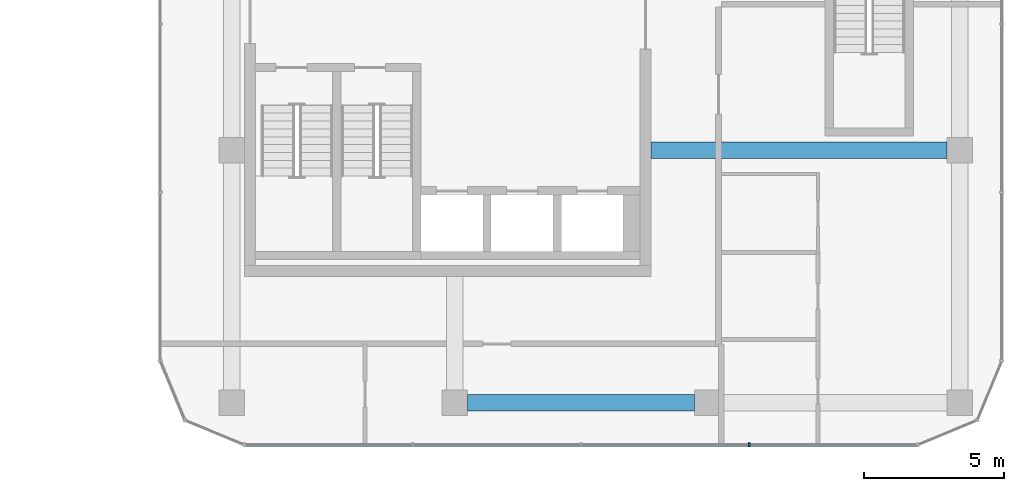
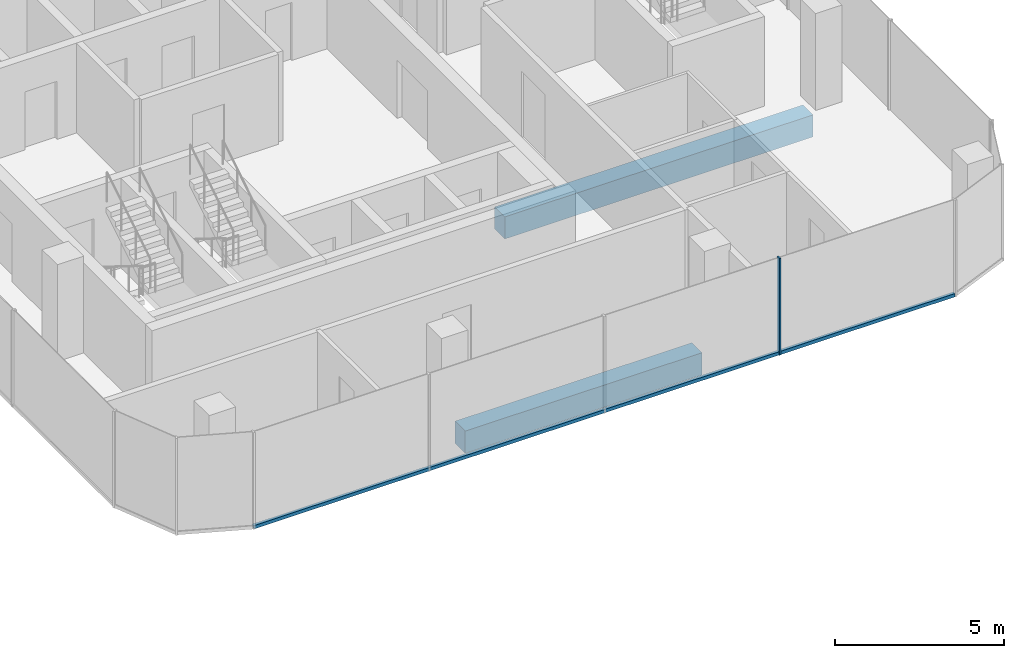
# One storey, part 8 of 22: 2 beams, 2 members, 1 element without a shape of its own.
"""IFC4 building model written with IfcOpenShell, lengths in metres."""

import ifcopenshell
import ifcopenshell.guid

model = None  # the IFC model being written
_history = None  # IfcOwnerHistory: only IFC2X3 demands one
_inside = {}  # id of a spatial element -> (the spatial element, [elements in it])
_under = {}  # id of a project, library or spatial element -> (it, [spatial elements below it])
_declared = {}  # id of a project -> (the project, [libraries it declares])
_typed = {}  # id of a type object -> (the type object, [elements of that type])
_made_of = {}  # id of a material, layer set ... -> (it, [elements and type objects made of it])


def new_model(schema):
    """Start an empty IFC model of exactly this schema.

    Asked for "IFC4X3", IfcOpenShell would pick the latest addendum, in which some entities
    have other attributes; the version numbers below select the first issue.
    IFC2X3 requires an IfcOwnerHistory on every rooted entity: one is made here for all.
    """
    global model, _history
    if schema == "IFC4X3":
        model = ifcopenshell.file(schema_version=(4, 3, 0, 0))
    else:
        model = ifcopenshell.file(schema=schema)
    _inside.clear()
    _under.clear()
    _declared.clear()
    _typed.clear()
    _made_of.clear()
    _history = None
    if model.schema == "IFC2X3":
        org = make("IfcOrganization", Name="unknown")
        user = make(
            "IfcPersonAndOrganization",
            ThePerson=make("IfcPerson", FamilyName="unknown"),
            TheOrganization=org,
        )
        app = make(
            "IfcApplication",
            ApplicationDeveloper=org,
            Version="unknown",
            ApplicationFullName="unknown",
            ApplicationIdentifier="unknown",
        )
        _history = make(
            "IfcOwnerHistory",
            OwningUser=user,
            OwningApplication=app,
            ChangeAction="ADDED",
            CreationDate=0,
        )
    return model


def make(cls, **values):
    """One entity of the class cls with the attributes given. An attribute that is None is left unset."""
    return model.create_entity(
        cls, **{name: value for name, value in values.items() if value is not None}
    )


def rooted(cls, **values):
    """An entity with a GlobalId (a new one), such as an element, a storey or a relation."""
    return make(cls, GlobalId=ifcopenshell.guid.new(), OwnerHistory=_history, **values)


def si_unit(unit_type, name, prefix=None):
    """IfcSIUnit, for example si_unit("LENGTHUNIT", "METRE", prefix="MILLI")."""
    return make("IfcSIUnit", UnitType=unit_type, Prefix=prefix, Name=name)


def assignment(units):
    """IfcUnitAssignment: the units of a project."""
    return None if units is None else make("IfcUnitAssignment", Units=units)


def point(xyz):
    """IfcCartesianPoint."""
    return None if xyz is None else make("IfcCartesianPoint", Coordinates=xyz)


def direction(xyz):
    """IfcDirection."""
    return None if xyz is None else make("IfcDirection", DirectionRatios=xyz)


def frame(location, z_axis=None, x_axis=None):
    """IfcAxis2Placement3D, a coordinate frame: its origin and axes. An axis left out is left unset."""
    return make(
        "IfcAxis2Placement3D",
        Location=point(location),
        Axis=direction(z_axis),
        RefDirection=direction(x_axis),
    )


def frame_2d(location, x_axis=None):
    """IfcAxis2Placement2D, a coordinate frame in the plane: its origin and x axis."""
    return make(
        "IfcAxis2Placement2D", Location=point(location), RefDirection=direction(x_axis)
    )


def origin():
    """The frame at (0, 0, 0) with its axes left unset."""
    return frame((0.0, 0.0, 0.0))


def origin_2d():
    """The frame at (0, 0) in the plane with its x axis left unset."""
    return frame_2d((0.0, 0.0))


def place(relative_to, where):
    """IfcLocalPlacement: puts the frame where relative to a parent placement (None: the world)."""
    return make(
        "IfcLocalPlacement", PlacementRelTo=relative_to, RelativePlacement=where
    )


def context(
    kind, dimensions, precision=None, world=None, true_north=None, identifier=None
):
    """IfcGeometricRepresentationContext, for example the 3D "Model" context."""
    return make(
        "IfcGeometricRepresentationContext",
        ContextIdentifier=identifier,
        ContextType=kind,
        CoordinateSpaceDimension=dimensions,
        Precision=precision,
        WorldCoordinateSystem=world,
        TrueNorth=true_north,
    )


def subcontext(parent, identifier, kind, view, scale=None):
    """IfcGeometricRepresentationSubContext, for example "Body" below "Model"."""
    return make(
        "IfcGeometricRepresentationSubContext",
        ContextIdentifier=identifier,
        ContextType=kind,
        ParentContext=parent,
        TargetScale=scale,
        TargetView=view,
    )


def project(units=None, contexts=None):
    """IfcProject with its units and contexts."""
    return rooted(
        "IfcProject",
        Name="project",
        RepresentationContexts=contexts,
        UnitsInContext=assignment(units),
    )


def spatial(cls, under=None, at=None, **own):
    """A site, building, storey or space (cls), placed at a placement, below another one or the project."""
    s = rooted(cls, ObjectPlacement=at, **own)
    if under is not None:
        _under.setdefault(under.id(), (under, []))[1].append(s)
    return s


def profile(cls, at=None, kind="AREA", **sizes):
    """A parametric profile (cls). Its sizes go by their IFC names, for example OverallWidth=200.0."""
    return make(cls, ProfileType=kind, Position=at, **sizes)


def rectangle(**sizes):
    """IfcRectangleProfileDef."""
    return profile("IfcRectangleProfileDef", **sizes)


def extrude(swept, where, along, depth):
    """IfcExtrudedAreaSolid: the profile swept, set in the frame where, extruded along a direction by depth."""
    return make(
        "IfcExtrudedAreaSolid",
        SweptArea=swept,
        Position=where,
        ExtrudedDirection=direction(along),
        Depth=depth,
    )


def shape(context_of_items, identifier, shape_type, items):
    """IfcShapeRepresentation: the items that make up one representation, for example the "Body"."""
    return make(
        "IfcShapeRepresentation",
        ContextOfItems=context_of_items,
        RepresentationIdentifier=identifier,
        RepresentationType=shape_type,
        Items=items,
    )


def material(Name=None, Category=None):
    """IfcMaterial."""
    return make("IfcMaterial", Name=Name, Category=Category)


def layer(
    of_material, thickness, ventilated=None, Name=None, Category=None, Priority=None
):
    """IfcMaterialLayer: one layer of a wall or slab, of a material (None: an air gap)."""
    return make(
        "IfcMaterialLayer",
        Material=of_material,
        LayerThickness=thickness,
        IsVentilated=ventilated,
        Name=Name,
        Category=Category,
        Priority=Priority,
    )


def layer_set(layers, Name=None):
    """IfcMaterialLayerSet."""
    return make("IfcMaterialLayerSet", MaterialLayers=layers, LayerSetName=Name)


def material_profile(
    of_material, cross_section, Name=None, Category=None, Priority=None
):
    """IfcMaterialProfile: a cross section and its material."""
    return make(
        "IfcMaterialProfile",
        Name=Name,
        Material=of_material,
        Profile=cross_section,
        Priority=Priority,
        Category=Category,
    )


def profile_set(profiles, Name=None, composite=None):
    """IfcMaterialProfileSet."""
    return make(
        "IfcMaterialProfileSet",
        Name=Name,
        MaterialProfiles=profiles,
        CompositeProfile=composite,
    )


def made_of(thing, what):
    """Note that an element or type object is made of a material, layer set ...; save() writes the relation."""
    if what is not None:
        _made_of.setdefault(what.id(), (what, []))[1].append(thing)
    return thing


def type_object(cls, material=None, **own):
    """A type object (cls), such as IfcWallType, which elements share."""
    return made_of(rooted(cls, **own), material)


def element(
    cls,
    number,
    at=None,
    inside=None,
    cuts=None,
    type_object=None,
    material=None,
    context=None,
    identifier="Body",
    shape_type=None,
    held_by="IfcProductDefinitionShape",
    body=None,
    shapes=None,
    **own,
):
    """One element of the class cls, such as IfcWall. Its Tag is "e" and its number.

    at: its placement. inside: the storey or other place that contains it. cuts: it is an
    opening in that element (IfcRelVoidsElement). A single representation is given by context,
    identifier, shape_type and body (its items); several are given by shapes. held_by: the class
    of the entity that holds the representations. save() writes the other relations.
    """
    e = rooted(cls, Tag="e%d" % number, ObjectPlacement=at, **own)
    if body is not None:
        shapes = [shape(context, identifier, shape_type, body)]
    if shapes is not None:
        e.Representation = make(held_by, Representations=shapes)
    if inside is not None:
        _inside.setdefault(inside.id(), (inside, []))[1].append(e)
    if cuts is not None:
        rooted(
            "IfcRelVoidsElement", RelatingBuildingElement=cuts, RelatedOpeningElement=e
        )
    if type_object is not None:
        _typed.setdefault(type_object.id(), (type_object, []))[1].append(e)
    return made_of(e, material)


def aggregate(whole, parts):
    """IfcRelAggregates: a whole, such as a stair, and the parts it consists of."""
    return rooted("IfcRelAggregates", RelatingObject=whole, RelatedObjects=parts)


def save(model, path):
    """Write the relations noted so far, then the file.

    IfcRelAggregates (storeys below a building ...), IfcRelContainedInSpatialStructure (elements
    in a storey), IfcRelDefinesByType, IfcRelAssociatesMaterial and IfcRelDeclares: one each for
    every whole, place, type object, material and project.
    """
    for whole, parts in _under.values():
        aggregate(whole, parts)
    for where, things in _inside.values():
        rooted(
            "IfcRelContainedInSpatialStructure",
            RelatedElements=things,
            RelatingStructure=where,
        )
    for kind, things in _typed.values():
        rooted("IfcRelDefinesByType", RelatedObjects=things, RelatingType=kind)
    for what, things in _made_of.values():
        rooted("IfcRelAssociatesMaterial", RelatedObjects=things, RelatingMaterial=what)
    for by, libraries in _declared.values():
        rooted("IfcRelDeclares", RelatingContext=by, RelatedDefinitions=libraries)
    model.write(path)


model = new_model("IFC4")

# Units and contexts
model_context = context("Model", 3, precision=1e-05, world=origin(), true_north=direction((0.0, 1.0)))
body_context = subcontext(model_context, "Body", "Model", "MODEL_VIEW")
ifc_project = project(units=[si_unit("LENGTHUNIT", "METRE"), si_unit("AREAUNIT", "SQUARE_METRE"), si_unit("VOLUMEUNIT", "CUBIC_METRE"), si_unit("PLANEANGLEUNIT", "RADIAN"), si_unit("MASSUNIT", "GRAM", prefix="KILO")], contexts=[model_context])

# Site, building, storey
site_placement = place(None, origin())
site = spatial("IfcSite", under=ifc_project, at=site_placement, CompositionType="ELEMENT")
building_placement = place(site_placement, origin())
building = spatial("IfcBuilding", under=site, at=building_placement, Name="Plateau Cross Towers", CompositionType="ELEMENT")
storey_placement = place(building_placement, frame((0.0, 0.0, 99.300048828125)))
storey = spatial("IfcBuildingStorey", under=building, at=storey_placement, Name="L25", CompositionType="ELEMENT", Elevation=99.300048828125)

# Beam
ifc_material_1 = material(Name="Concrete C60/75", Category="concrete")
ifc_material_profile_1 = material_profile(ifc_material_1, rectangle(XDim=0.60009765625, YDim=0.800048828125, at=origin_2d()), Name="RC 600x800")
ifc_profile_set_1 = profile_set([ifc_material_profile_1], Name="Concrete C60/75")
beam_type_1 = type_object("IfcBeamType", Name="Core beam RC 600x800", PredefinedType="BEAM", material=ifc_profile_set_1)
beam_1_placement = place(storey_placement, frame((89.5, 4.5, -0.650146484375), z_axis=(1.0, 0.0, 0.0), x_axis=(0.0, 1.0, 0.0)))
element("IfcBeam", 1, at=beam_1_placement, inside=storey, type_object=beam_type_1, Name="B-CB02@L25", PredefinedType="BEAM", context=body_context, shape_type="SweptSolid", body=[
    extrude(rectangle(XDim=0.60009765625, YDim=0.800048828125, at=origin_2d()), origin(), (0.0, 0.0, 1.0), 10.550048828125),
])

# Curtain wall, member
ifc_material_2 = material(Name="Dark low-iron glass", Category="glass")
ifc_layer = layer(ifc_material_2, 0.239990234375)
ifc_layer_set = layer_set([ifc_layer], Name="Dark low-iron glass")
curtain_wall_type = type_object("IfcCurtainWallType", Name="Curtain wall office unitised CW-F", PredefinedType="NOTDEFINED", material=ifc_layer_set)
curtain_wall_placement = place(storey_placement, origin())
curtain_wall = element("IfcCurtainWall", 2, at=curtain_wall_placement, inside=storey, type_object=curtain_wall_type, Name="ENV/B/L25/B750_-60", PredefinedType="NOTDEFINED")
ifc_material_3 = material(Name="Black anodised aluminium", Category="aluminium")
ifc_material_profile_2 = material_profile(ifc_material_3, rectangle(XDim=0.06005859375, YDim=0.139892578125, at=origin_2d()), Name="MULLION 60x140")
ifc_profile_set_2 = profile_set([ifc_material_profile_2], Name="Black anodised aluminium")
member_type_1 = type_object("IfcMemberType", Name="Mullion 60x140 office unitised", PredefinedType="MULLION", material=ifc_profile_set_2)
member_1_placement = place(storey_placement, frame((93.0, -6.0, -0.25), z_axis=(0.0, 0.0, 1.0), x_axis=(1.0, 0.0, 0.0)))
member_1 = element("IfcMember", 3, at=member_1_placement, type_object=member_type_1, Name="CW-F mullion 4", PredefinedType="MULLION", context=body_context, shape_type="SweptSolid", body=[
    extrude(rectangle(XDim=0.06005859375, YDim=0.139892578125, at=origin_2d()), origin(), (0.0, 0.0, 1.0), 3.5),
])

# Beam
ifc_material_profile_3 = material_profile(ifc_material_1, rectangle(XDim=0.60009765625, YDim=0.800048828125, at=origin_2d()), Name="RC 600x800")
ifc_profile_set_3 = profile_set([ifc_material_profile_3], Name="Concrete C60/75")
beam_type_2 = type_object("IfcBeamType", Name="Ring beam RC 600x800", PredefinedType="BEAM", material=ifc_profile_set_3)
beam_2_placement = place(storey_placement, frame((82.949951171875, -4.5, -0.650146484375), z_axis=(1.0, 0.0, 0.0), x_axis=(0.0, 1.0, 0.0)))
element("IfcBeam", 4, at=beam_2_placement, inside=storey, type_object=beam_type_2, Name="B-RB01@L25", PredefinedType="BEAM", context=body_context, shape_type="SweptSolid", body=[
    extrude(rectangle(XDim=0.60009765625, YDim=0.800048828125, at=origin_2d()), origin(), (0.0, 0.0, 1.0), 8.10009765625),
])

# Member
ifc_material_profile_4 = material_profile(ifc_material_3, rectangle(XDim=0.10009765625, YDim=0.1201171875, at=origin_2d()), Name="TRANSOM 100x120")
ifc_profile_set_4 = profile_set([ifc_material_profile_4], Name="Black anodised aluminium")
member_type_2 = type_object("IfcMemberType", Name="Transom 100x120 office unitised", PredefinedType="USERDEFINED", material=ifc_profile_set_4)
member_2_placement = place(storey_placement, frame((75.0, -6.0, -0.18994140625), z_axis=(1.0, 0.0, 0.0), x_axis=(0.0, 1.0, 0.0)))
member_2 = element("IfcMember", 5, at=member_2_placement, type_object=member_type_2, Name="CW-F transom", ObjectType="TRANSOM", PredefinedType="USERDEFINED", context=body_context, shape_type="SweptSolid", body=[
    extrude(rectangle(XDim=0.10009765625, YDim=0.1201171875, at=origin_2d()), origin(), (0.0, 0.0, 1.0), 24.0),
])

aggregate(curtain_wall, [member_1, member_2])

save(model, "model.ifc")
